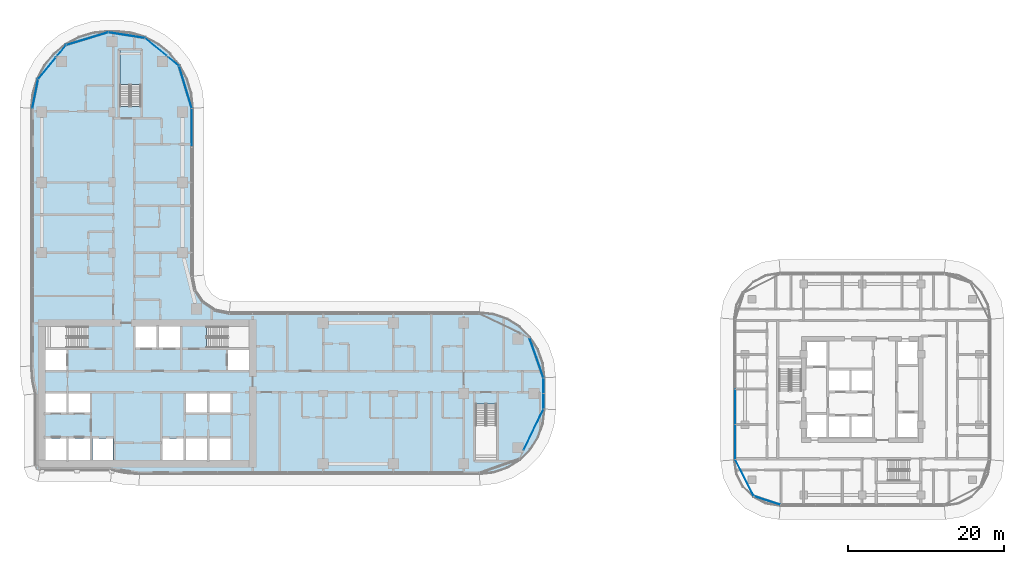
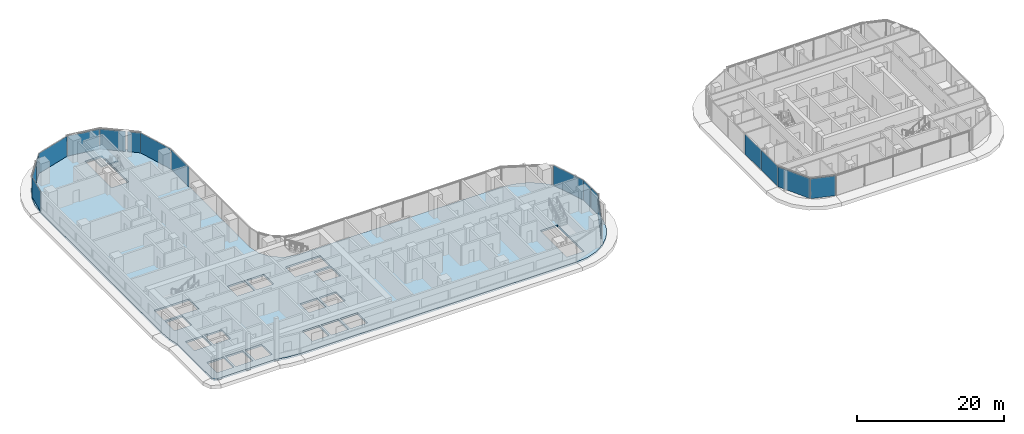
# One storey, part 16 of 39: 17 plates, 2 slabs, 10 elements without a shape of their own.
"""IFC4 building model written with IfcOpenShell, lengths in metres."""

from ifc_helpers import new_model, si_unit, direction, frame, origin, origin_2d, place, context, subcontext, project, spatial, polyline, rectangle, outline, extrude, material, layer, layer_set, type_object, element, aggregate, save


model = new_model("IFC4")

# Units and contexts
model_context = context("Model", 3, precision=1e-05, world=origin(), true_north=direction((0.0, 1.0)))
body_context = subcontext(model_context, "Body", "Model", "MODEL_VIEW")
ifc_project = project(units=[si_unit("LENGTHUNIT", "METRE"), si_unit("AREAUNIT", "SQUARE_METRE"), si_unit("VOLUMEUNIT", "CUBIC_METRE"), si_unit("PLANEANGLEUNIT", "RADIAN"), si_unit("MASSUNIT", "GRAM", prefix="KILO")], contexts=[model_context])

# Site, building, storey
site_placement = place(None, origin())
site = spatial("IfcSite", under=ifc_project, at=site_placement, CompositionType="ELEMENT")
building_placement = place(site_placement, origin())
building = spatial("IfcBuilding", under=site, at=building_placement, Name="Ogive Portal Towers", CompositionType="ELEMENT")
storey_placement = place(building_placement, frame((0.0, 0.0, 44.60009765625)))
storey = spatial("IfcBuildingStorey", under=building, at=storey_placement, Name="L09", CompositionType="ELEMENT", Elevation=44.60009765625)

# Curtain wall, plates
ifc_material_1 = material(Name="Glass, clear low-iron insulated glazing", Category="glass")
curtain_wall_type_1 = type_object("IfcCurtainWallType", Name="CW FRONT RIBBON 4500", PredefinedType="NOTDEFINED", material=ifc_material_1)
curtain_wall_1_placement = place(storey_placement, origin())
curtain_wall_1 = element("IfcCurtainWall", 1, at=curtain_wall_1_placement, inside=storey, type_object=curtain_wall_type_1, Name="A:L09:f08:cw0", PredefinedType="NOTDEFINED")
ifc_layer_1 = layer(ifc_material_1, 0.028076171875)
ifc_layer_set_1 = layer_set([ifc_layer_1], Name="CW PANEL IGU 28")
plate_type = type_object("IfcPlateType", Name="CW PANEL IGU 28", PredefinedType="CURTAIN_PANEL", material=ifc_layer_set_1)
plate_1_placement = place(storey_placement, frame((95.705078125, 29.509033203125, 0.0), z_axis=(0.0, 0.0, 1.0), x_axis=(0.0, 1.0, 0.0)))
plate_1 = element("IfcPlate", 2, at=plate_1_placement, type_object=plate_type, Name="panel", PredefinedType="CURTAIN_PANEL", context=body_context, shape_type="SweptSolid", body=[
    extrude(rectangle(XDim=1.921630859375, YDim=0.028076171875, at=origin_2d()), origin(), (0.0, 0.0, 1.0), 3.340087890625),
])
plate_2_placement = place(storey_placement, frame((95.705078125, 31.4931640625, 0.0), z_axis=(0.0, 0.0, 1.0), x_axis=(0.0, 1.0, 0.0)))
plate_2 = element("IfcPlate", 3, at=plate_2_placement, type_object=plate_type, Name="panel", PredefinedType="CURTAIN_PANEL", context=body_context, shape_type="SweptSolid", body=[
    extrude(rectangle(XDim=1.926513671875, YDim=0.028076171875, at=origin_2d()), origin(), (0.0, 0.0, 1.0), 3.340087890625),
])
aggregate(curtain_wall_1, [plate_1, plate_2])

# Curtain wall, plate
curtain_wall_2_placement = place(storey_placement, origin())
curtain_wall_2 = element("IfcCurtainWall", 4, at=curtain_wall_2_placement, inside=storey, type_object=curtain_wall_type_1, Name="A:L09:f16:cw0", PredefinedType="NOTDEFINED")
plate_3_placement = place(storey_placement, frame((50.705078125, 64.494140625, 0.0), z_axis=(0.0, 0.0, 1.0), x_axis=(0.0, 1.0, 0.0)))
plate_3 = element("IfcPlate", 5, at=plate_3_placement, type_object=plate_type, Name="panel", PredefinedType="CURTAIN_PANEL", context=body_context, shape_type="SweptSolid", body=[
    extrude(rectangle(XDim=4.92822265625, YDim=0.028076171875, at=origin_2d()), origin(), (0.0, 0.0, 1.0), 3.340087890625),
])
aggregate(curtain_wall_2, [plate_3])

curtain_wall_3_placement = place(storey_placement, origin())
curtain_wall_3 = element("IfcCurtainWall", 6, at=curtain_wall_3_placement, inside=storey, type_object=curtain_wall_type_1, Name="A:L09:f06:cwa~1", PredefinedType="NOTDEFINED")
plate_4_placement = place(storey_placement, frame((94.427490234375, 25.865478515625, 0.0), z_axis=(0.0, 0.0, 1.0), x_axis=(0.433883739113, 0.900968867905, 0.0)))
plate_4 = element("IfcPlate", 7, at=plate_4_placement, type_object=plate_type, Name="panel", PredefinedType="CURTAIN_PANEL", context=body_context, shape_type="SweptSolid", body=[
    extrude(rectangle(XDim=5.82861328125, YDim=0.028076171875, at=origin_2d()), origin(), (0.0, 0.0, 1.0), 3.340087890625),
])
aggregate(curtain_wall_3, [plate_4])

curtain_wall_4_placement = place(storey_placement, origin())
curtain_wall_4 = element("IfcCurtainWall", 8, at=curtain_wall_4_placement, inside=storey, type_object=curtain_wall_type_1, Name="A:L09:f09:cwa~0", PredefinedType="NOTDEFINED")
plate_5_placement = place(storey_placement, frame((94.808837890625, 35.047119140625, 0.0), z_axis=(0.0, 0.0, 1.0), x_axis=(-0.33027906196, 0.943883330307, 0.0)))
plate_5 = element("IfcPlate", 9, at=plate_5_placement, type_object=plate_type, Name="panel", PredefinedType="CURTAIN_PANEL", context=body_context, shape_type="SweptSolid", body=[
    extrude(rectangle(XDim=5.365966796875, YDim=0.028076171875, at=origin_2d()), origin(), (0.0, 0.0, 1.0), 3.340087890625),
])
aggregate(curtain_wall_4, [plate_5])

# Curtain wall, plates
curtain_wall_5_placement = place(storey_placement, origin())
curtain_wall_5 = element("IfcCurtainWall", 10, at=curtain_wall_5_placement, inside=storey, type_object=curtain_wall_type_1, Name="A:L09:f17:cwa~0", PredefinedType="NOTDEFINED")
plate_6_placement = place(storey_placement, frame((49.8857421875, 69.68896484375, 0.0), z_axis=(0.0, 0.0, 1.0), x_axis=(-0.290284677254, 0.956940335732, 0.0)))
plate_6 = element("IfcPlate", 11, at=plate_6_placement, type_object=plate_type, Name="panel", PredefinedType="CURTAIN_PANEL", context=body_context, shape_type="SweptSolid", body=[
    extrude(rectangle(XDim=5.584716796875, YDim=0.028076171875, at=origin_2d()), origin(), (0.0, 0.0, 1.0), 3.340087890625),
])
plate_7_placement = place(storey_placement, frame((48.36962890625, 72.961669921875, 0.0), z_axis=(0.0, 0.0, 1.0), x_axis=(-0.773010453363, 0.634393284164, 0.0)))
plate_7 = element("IfcPlate", 12, at=plate_7_placement, type_object=plate_type, Name="panel", PredefinedType="CURTAIN_PANEL", context=body_context, shape_type="SweptSolid", body=[
    extrude(rectangle(XDim=1.74267578125, YDim=0.028076171875, at=origin_2d()), origin(), (0.0, 0.0, 1.0), 3.340087890625),
])
aggregate(curtain_wall_5, [plate_6, plate_7])

curtain_wall_6_placement = place(storey_placement, origin())
curtain_wall_6 = element("IfcCurtainWall", 13, at=curtain_wall_6_placement, inside=storey, type_object=curtain_wall_type_1, Name="A:L09:f17:cwa~1", PredefinedType="NOTDEFINED")
plate_8_placement = place(storey_placement, frame((46.106689453125, 74.81884765625, 0.0), z_axis=(0.0, 0.0, 1.0), x_axis=(-0.773010453363, 0.634393284164, 0.0)))
plate_8 = element("IfcPlate", 14, at=plate_8_placement, type_object=plate_type, Name="panel", PredefinedType="CURTAIN_PANEL", context=body_context, shape_type="SweptSolid", body=[
    extrude(rectangle(XDim=3.552001953125, YDim=0.028076171875, at=origin_2d()), origin(), (0.0, 0.0, 1.0), 3.340087890625),
])
plate_9_placement = place(storey_placement, frame((42.358154296875, 76.333740234375, 0.0), z_axis=(0.0, 0.0, 1.0), x_axis=(-0.987900568675, 0.15508857602, 0.0)))
plate_9 = element("IfcPlate", 15, at=plate_9_placement, type_object=plate_type, Name="panel", PredefinedType="CURTAIN_PANEL", context=body_context, shape_type="SweptSolid", body=[
    extrude(rectangle(XDim=4.70263671875, YDim=0.028076171875, at=origin_2d()), origin(), (0.0, 0.0, 1.0), 3.340087890625),
])
plate_10_placement = place(storey_placement, frame((37.307861328125, 75.884765625, 0.0), z_axis=(0.0, 0.0, 1.0), x_axis=(-0.956940335732, -0.290284677254, 0.0)))
plate_10 = element("IfcPlate", 16, at=plate_10_placement, type_object=plate_type, Name="panel", PredefinedType="CURTAIN_PANEL", context=body_context, shape_type="SweptSolid", body=[
    extrude(rectangle(XDim=5.578369140625, YDim=0.028076171875, at=origin_2d()), origin(), (0.0, 0.0, 1.0), 3.340087890625),
])
plate_11_placement = place(storey_placement, frame((34.038330078125, 74.36962890625, 0.0), z_axis=(0.0, 0.0, 1.0), x_axis=(-0.634393284164, -0.773010453363, 0.0)))
plate_11 = element("IfcPlate", 17, at=plate_11_placement, type_object=plate_type, Name="panel", PredefinedType="CURTAIN_PANEL", context=body_context, shape_type="SweptSolid", body=[
    extrude(rectangle(XDim=1.74267578125, YDim=0.028076171875, at=origin_2d()), origin(), (0.0, 0.0, 1.0), 3.340087890625),
])
aggregate(curtain_wall_6, [plate_8, plate_9, plate_10, plate_11])

curtain_wall_7_placement = place(storey_placement, origin())
curtain_wall_7 = element("IfcCurtainWall", 18, at=curtain_wall_7_placement, inside=storey, type_object=curtain_wall_type_1, Name="A:L09:f17:cwa~2", PredefinedType="NOTDEFINED")
plate_12_placement = place(storey_placement, frame((32.1806640625, 72.10595703125, 0.0), z_axis=(0.0, 0.0, 1.0), x_axis=(-0.634393284164, -0.773010453363, 0.0)))
plate_12 = element("IfcPlate", 19, at=plate_12_placement, type_object=plate_type, Name="panel", PredefinedType="CURTAIN_PANEL", context=body_context, shape_type="SweptSolid", body=[
    extrude(rectangle(XDim=3.553955078125, YDim=0.028076171875, at=origin_2d()), origin(), (0.0, 0.0, 1.0), 3.340087890625),
])
plate_13_placement = place(storey_placement, frame((30.664794921875, 68.850830078125, 0.0), z_axis=(0.0, 0.0, 1.0), x_axis=(-0.195090322016, -0.980785280403, 0.0)))
plate_13 = element("IfcPlate", 20, at=plate_13_placement, type_object=plate_type, Name="panel", PredefinedType="CURTAIN_PANEL", context=body_context, shape_type="SweptSolid", body=[
    extrude(rectangle(XDim=3.72998046875, YDim=0.028076171875, at=origin_2d()), origin(), (0.0, 0.0, 1.0), 3.340087890625),
])
aggregate(curtain_wall_7, [plate_12, plate_13])

curtain_wall_type_2 = type_object("IfcCurtainWallType", Name="CW RESIDENCES RIBBON", PredefinedType="NOTDEFINED", material=ifc_material_1)
curtain_wall_8_placement = place(storey_placement, origin())
curtain_wall_8 = element("IfcCurtainWall", 21, at=curtain_wall_8_placement, inside=storey, type_object=curtain_wall_type_2, Name="B:L09:f11:cw0", PredefinedType="NOTDEFINED")
plate_14_placement = place(storey_placement, frame((120.2451171875, 28.75, 0.0), z_axis=(0.0, 0.0, 1.0), x_axis=(0.0, -1.0, 0.0)))
plate_14 = element("IfcPlate", 22, at=plate_14_placement, type_object=plate_type, Name="panel", PredefinedType="CURTAIN_PANEL", context=body_context, shape_type="SweptSolid", body=[
    extrude(rectangle(XDim=4.43994140625, YDim=0.028076171875, at=origin_2d()), origin(), (0.0, 0.0, 1.0), 3.340087890625),
])
plate_15_placement = place(storey_placement, frame((120.2451171875, 24.259521484375, 0.0), z_axis=(0.0, 0.0, 1.0), x_axis=(0.0, -1.0, 0.0)))
plate_15 = element("IfcPlate", 23, at=plate_15_placement, type_object=plate_type, Name="panel", PredefinedType="CURTAIN_PANEL", context=body_context, shape_type="SweptSolid", body=[
    extrude(rectangle(XDim=4.4208984375, YDim=0.028076171875, at=origin_2d()), origin(), (0.0, 0.0, 1.0), 3.340087890625),
])
aggregate(curtain_wall_8, [plate_14, plate_15])

curtain_wall_9_placement = place(storey_placement, origin())
curtain_wall_9 = element("IfcCurtainWall", 24, at=curtain_wall_9_placement, inside=storey, type_object=curtain_wall_type_2, Name="B:L09:f00:cwa", PredefinedType="NOTDEFINED")
plate_16_placement = place(storey_placement, frame((121.435791015625, 19.68212890625, 0.0), z_axis=(0.0, 0.0, 1.0), x_axis=(0.45399049974, -0.891006524188, 0.0)))
plate_16 = element("IfcPlate", 25, at=plate_16_placement, type_object=plate_type, Name="panel", PredefinedType="CURTAIN_PANEL", context=body_context, shape_type="SweptSolid", body=[
    extrude(rectangle(XDim=5.185791015625, YDim=0.028076171875, at=origin_2d()), origin(), (0.0, 0.0, 1.0), 3.340087890625),
])
plate_17_placement = place(storey_placement, frame((124.319580078125, 16.795166015625, 0.0), z_axis=(0.0, 0.0, 1.0), x_axis=(0.951056516295, -0.309016994375, 0.0)))
plate_17 = element("IfcPlate", 26, at=plate_17_placement, type_object=plate_type, Name="panel", PredefinedType="CURTAIN_PANEL", context=body_context, shape_type="SweptSolid", body=[
    extrude(rectangle(XDim=3.50048828125, YDim=0.028076171875, at=origin_2d()), origin(), (0.0, 0.0, 1.0), 3.340087890625),
])
aggregate(curtain_wall_9, [plate_16, plate_17])

# Stair, slab
ifc_material_2 = material(Name="Concrete C40/50", Category="concrete")
stair_type = type_object("IfcStairType", Name="INT-STAIR", PredefinedType="HALF_TURN_STAIR", material=ifc_material_2)
stair_placement = place(storey_placement, origin())
stair = element("IfcStair", 27, at=stair_placement, inside=storey, type_object=stair_type, Name="L09 Exit Stair ST-A3", PredefinedType="HALF_TURN_STAIR")
ifc_layer_2 = layer(ifc_material_2, 0.199951171875)
ifc_layer_set_2 = layer_set([ifc_layer_2], Name="INT-LANDING")
slab_type_1 = type_object("IfcSlabType", Name="INT-LANDING", PredefinedType="LANDING", material=ifc_layer_set_2)
slab_1_placement = place(storey_placement, frame((0.0, 0.0, 1.64990234375)))
slab_1 = element("IfcSlab", 28, at=slab_1_placement, type_object=slab_type_1, Name="ST-A3 landing 1", PredefinedType="LANDING", context=body_context, shape_type="SweptSolid", body=[
    extrude(outline(polyline([(44.199951171875, 70.0), (44.199951171875, 74.449951171875), (41.5, 74.449951171875), (41.5, 70.0), (44.199951171875, 70.0)])), origin(), (0.0, 0.0, 1.0), 0.199951171875),
])
aggregate(stair, [slab_1])

# Slab
ifc_material_3 = material(Name="Concrete C45/55", Category="concrete")
ifc_layer_3 = layer(ifc_material_3, 0.300048828125)
ifc_layer_set_3 = layer_set([ifc_layer_3], Name="PT FLAT PLATE 300")
slab_type_2 = type_object("IfcSlabType", Name="PT FLAT PLATE 300", PredefinedType="FLOOR", material=ifc_layer_set_3)
slab_2_placement = place(storey_placement, frame((0.0, 0.0, -0.300048828125)))
element("IfcSlab", 29, at=slab_2_placement, inside=storey, type_object=slab_type_2, Name="Floor slab L09", PredefinedType="FLOOR", context=body_context, shape_type="SweptSolid", body=[
    extrude(outline(polyline([(30.215087890625, 34.0), (30.355224609375, 32.0380859375), (30.699951171875, 30.45361328125), (30.699951171875, 21.300048828125), (30.875732421875, 20.875732421875), (31.300048828125, 20.699951171875), (40.45361328125, 20.699951171875), (42.0380859375, 20.355224609375), (44.0, 20.215087890625), (87.5, 20.215087890625), (89.343505859375, 20.422607421875), (91.0947265625, 21.035400390625), (92.66552734375, 22.0224609375), (93.9775390625, 23.33447265625), (94.964599609375, 24.9052734375), (95.577392578125, 26.656494140625), (95.784912109375, 28.5), (95.784912109375, 32.5), (95.577392578125, 34.343505859375), (94.964599609375, 36.0947265625), (93.9775390625, 37.66552734375), (92.66552734375, 38.9775390625), (91.0947265625, 39.964599609375), (89.343505859375, 40.577392578125), (87.5, 40.784912109375), (55.5, 40.784912109375), (53.695556640625, 41.143798828125), (52.166015625, 42.166015625), (51.143798828125, 43.695556640625), (50.784912109375, 45.5), (50.784912109375, 67.0), (50.596923828125, 68.908935546875), (50.040283203125, 70.74462890625), (49.135986328125, 72.436279296875), (47.9189453125, 73.9189453125), (46.436279296875, 75.135986328125), (44.74462890625, 76.040283203125), (42.908935546875, 76.596923828125), (41.0, 76.784912109375), (40.0, 76.784912109375), (38.091064453125, 76.596923828125), (36.25537109375, 76.040283203125), (34.563720703125, 75.135986328125), (33.0810546875, 73.9189453125), (31.864013671875, 72.436279296875), (30.959716796875, 70.74462890625), (30.403076171875, 68.908935546875), (30.215087890625, 67.0), (30.215087890625, 34.0)]), holes=[polyline([(34.64990234375, 24.75), (34.64990234375, 21.949951171875), (31.949951171875, 21.949951171875), (31.949951171875, 24.75), (34.64990234375, 24.75)]), polyline([(37.64990234375, 24.75), (37.64990234375, 21.949951171875), (34.949951171875, 21.949951171875), (34.949951171875, 24.75), (37.64990234375, 24.75)]), polyline([(40.6298828125, 21.969970703125), (37.969970703125, 21.969970703125), (37.969970703125, 24.72998046875), (40.6298828125, 24.72998046875), (40.6298828125, 21.969970703125)]), polyline([(34.64990234375, 28.050048828125), (31.949951171875, 28.050048828125), (31.949951171875, 30.5), (34.64990234375, 30.5), (34.64990234375, 28.050048828125)]), polyline([(37.64990234375, 28.050048828125), (34.949951171875, 28.050048828125), (34.949951171875, 30.5), (37.64990234375, 30.5), (37.64990234375, 28.050048828125)]), polyline([(34.64990234375, 36.050048828125), (34.64990234375, 33.5), (31.949951171875, 33.5), (31.949951171875, 36.050048828125), (34.64990234375, 36.050048828125)]), polyline([(31.951904296875, 39.048095703125), (37.447998046875, 39.048095703125), (37.447998046875, 36.35205078125), (31.951904296875, 36.35205078125), (31.951904296875, 39.048095703125)]), polyline([(46.199951171875, 39.050048828125), (46.199951171875, 36.35009765625), (43.5, 36.35009765625), (43.5, 39.050048828125), (46.199951171875, 39.050048828125)]), polyline([(49.199951171875, 36.35009765625), (46.5, 36.35009765625), (46.5, 39.050048828125), (49.199951171875, 39.050048828125), (49.199951171875, 36.35009765625)]), polyline([(44.197998046875, 67.201904296875), (41.501953125, 67.201904296875), (41.501953125, 74.447998046875), (44.197998046875, 74.447998046875), (44.197998046875, 67.201904296875)]), polyline([(49.6298828125, 21.969970703125), (46.969970703125, 21.969970703125), (46.969970703125, 24.72998046875), (49.6298828125, 24.72998046875), (49.6298828125, 21.969970703125)]), polyline([(52.64990234375, 24.75), (52.64990234375, 21.949951171875), (49.949951171875, 21.949951171875), (49.949951171875, 24.75), (52.64990234375, 24.75)]), polyline([(55.64990234375, 21.949951171875), (52.949951171875, 21.949951171875), (52.949951171875, 24.75), (55.64990234375, 24.75), (55.64990234375, 21.949951171875)]), polyline([(87.001953125, 29.16796875), (89.697998046875, 29.16796875), (89.697998046875, 21.951904296875), (87.001953125, 21.951904296875), (87.001953125, 29.16796875)]), polyline([(52.64990234375, 30.5), (52.64990234375, 28.050048828125), (49.949951171875, 28.050048828125), (49.949951171875, 30.5), (52.64990234375, 30.5)]), polyline([(55.64990234375, 30.5), (55.64990234375, 28.050048828125), (52.949951171875, 28.050048828125), (52.949951171875, 30.5), (55.64990234375, 30.5)]), polyline([(58.050048828125, 33.5), (55.35009765625, 33.5), (55.35009765625, 36.050048828125), (58.050048828125, 36.050048828125), (58.050048828125, 33.5)]), polyline([(52.552001953125, 36.35205078125), (52.552001953125, 39.048095703125), (58.048095703125, 39.048095703125), (58.048095703125, 36.35205078125), (52.552001953125, 36.35205078125)])]), origin(), (0.0, 0.0, 1.0), 0.300048828125),
])

save(model, "model.ifc")
